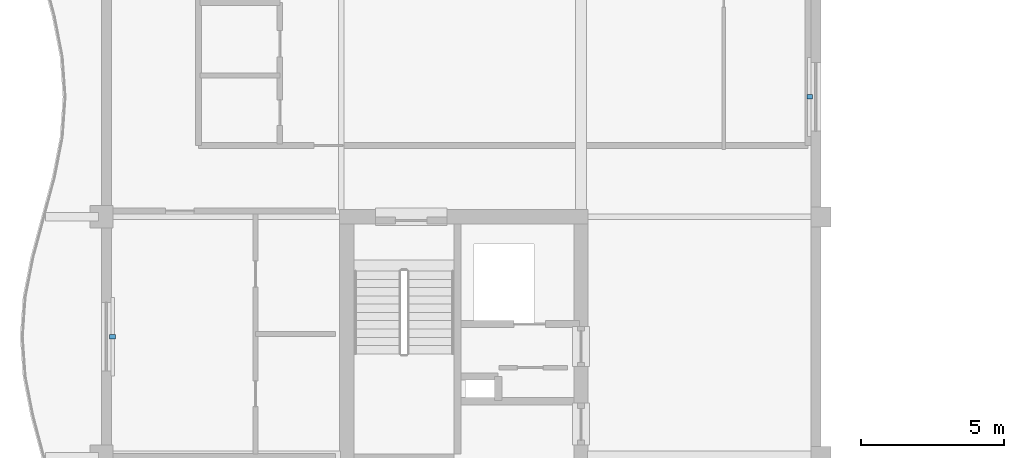
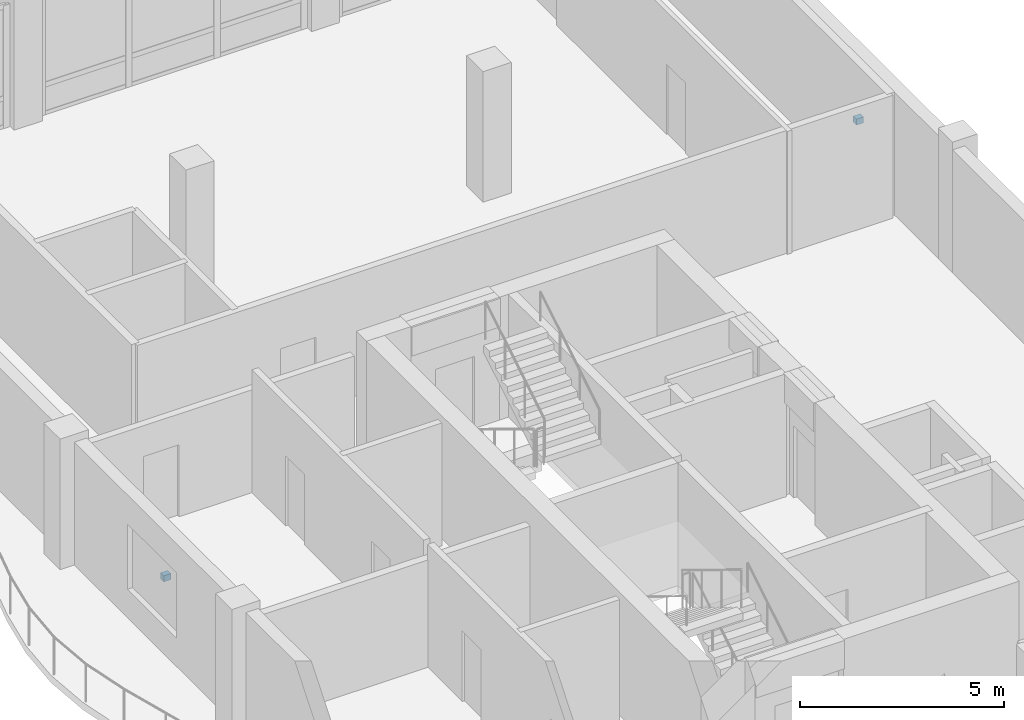
# One storey, part 13 of 17: 2 discrete accessories.
"""IFC4 building model written with IfcOpenShell, lengths in metres."""

from ifc_helpers import new_model, si_unit, direction, frame, origin, origin_2d, place, context, subcontext, project, spatial, rectangle, extrude, material, type_object, element, save


model = new_model("IFC4")

# Units and contexts
model_context = context("Model", 3, precision=1e-05, world=origin(), true_north=direction((0.0, 1.0)))
body_context = subcontext(model_context, "Body", "Model", "MODEL_VIEW")
ifc_project = project(units=[si_unit("LENGTHUNIT", "METRE"), si_unit("AREAUNIT", "SQUARE_METRE"), si_unit("VOLUMEUNIT", "CUBIC_METRE"), si_unit("PLANEANGLEUNIT", "RADIAN"), si_unit("MASSUNIT", "GRAM", prefix="KILO")], contexts=[model_context])

# Site, building, storey
site_placement = place(None, origin())
site = spatial("IfcSite", under=ifc_project, at=site_placement, CompositionType="ELEMENT")
building_placement = place(site_placement, origin())
building = spatial("IfcBuilding", under=site, at=building_placement, Name="Koriwani Terraces Tower", CompositionType="ELEMENT")
storey_placement = place(building_placement, frame((0.0, 0.0, 316.39990234375)))
storey = spatial("IfcBuildingStorey", under=building, at=storey_placement, Name="L78", CompositionType="ELEMENT", Elevation=316.39990234375)

# Discrete accessories
ifc_material = material(Name="Steel ASTM A572 Grade 50", Category="steel")
discrete_accessory_type = type_object("IfcDiscreteAccessoryType", Name="BAGUETTE_STANDOFF_BRACKET", PredefinedType="BRACKET", material=ifc_material)
for number, where, z_axis, x_axis, name in (
    (1, (8.7900390625, 54.60009765625, 1.7451171875), (0.0, 0.0, 1.0), (0.0, 1.0, 0.0), "L78 Terracotta Baguette Bracket (W-15)"),
    (2, (33.2099609375, 63.0, 1.7451171875), (0.0, 0.0, 1.0), (0.0, -1.0, 0.0), "L78 Terracotta Baguette Bracket (NW_IN-11)"),
):
    element("IfcDiscreteAccessory", number, at=place(storey_placement, frame(where, z_axis=z_axis, x_axis=x_axis)), inside=storey, type_object=discrete_accessory_type, Name=name, PredefinedType="BRACKET", context=body_context, shape_type="SweptSolid", body=[
        extrude(rectangle(XDim=0.159912109375, YDim=0.199951171875, at=origin_2d()), origin(), (0.0, 0.0, 1.0), 0.179931640625),
    ])

save(model, "model.ifc")
